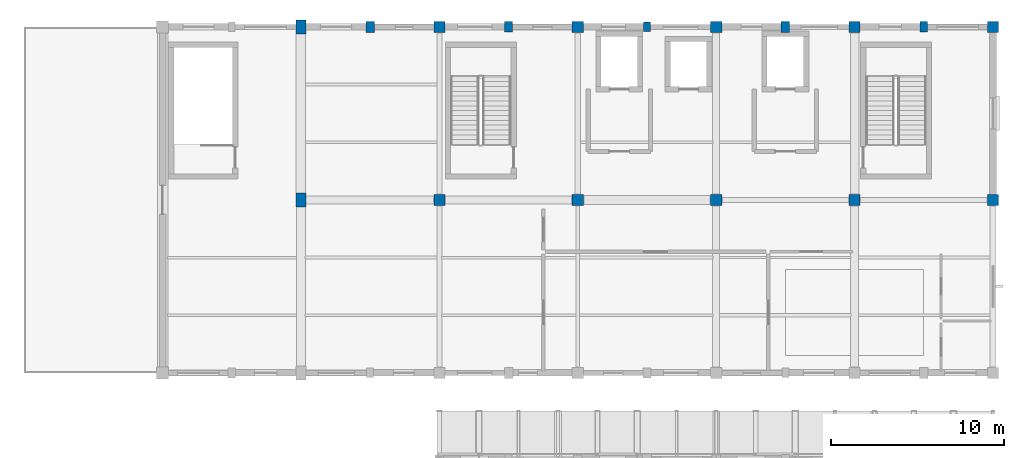
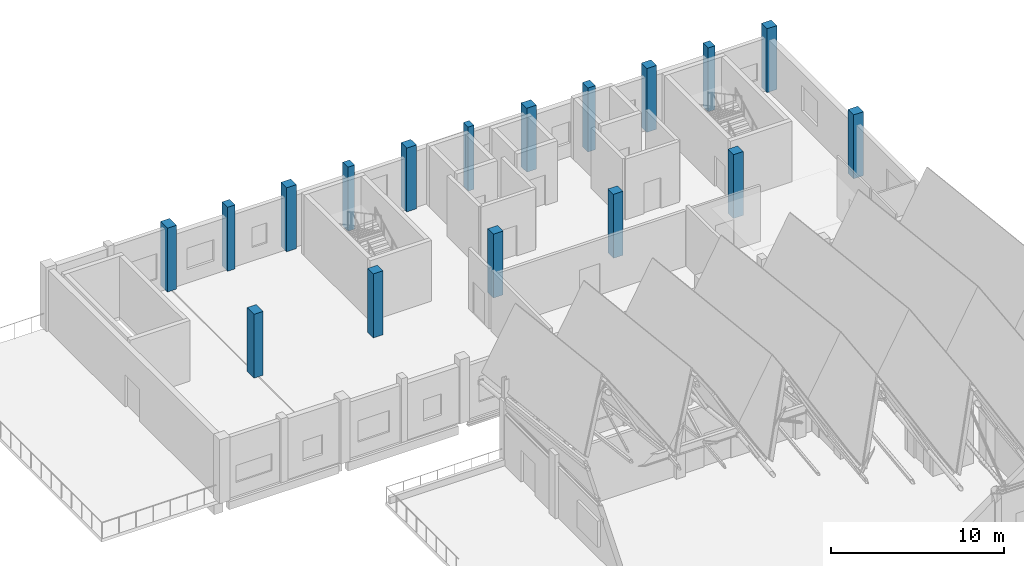
# One storey, part 6 of 48: 17 columns.
"""IFC4 building model written with IfcOpenShell, lengths in metres."""

from ifc_helpers import new_model, si_unit, direction, frame, origin, origin_2d, place, context, subcontext, project, spatial, rectangle, extrude, material, material_profile, profile_set, type_object, element, save


model = new_model("IFC4")

# Units and contexts
model_context = context("Model", 3, precision=1e-05, world=origin(), true_north=direction((0.0, 1.0)))
body_context = subcontext(model_context, "Body", "Model", "MODEL_VIEW")
ifc_project = project(units=[si_unit("LENGTHUNIT", "METRE"), si_unit("AREAUNIT", "SQUARE_METRE"), si_unit("VOLUMEUNIT", "CUBIC_METRE"), si_unit("PLANEANGLEUNIT", "RADIAN"), si_unit("MASSUNIT", "GRAM", prefix="KILO")], contexts=[model_context])

# Site, building, storey
site_placement = place(None, origin())
site = spatial("IfcSite", under=ifc_project, at=site_placement, CompositionType="ELEMENT")
building_placement = place(site_placement, origin())
building = spatial("IfcBuilding", under=site, at=building_placement, Name="Luwemba Playhouse", CompositionType="ELEMENT")
storey_placement = place(building_placement, frame((0.0, 0.0, 13.800048828125)))
storey = spatial("IfcBuildingStorey", under=building, at=storey_placement, Name="L03", CompositionType="ELEMENT", Elevation=13.800048828125)

# Columns
ifc_material = material(Name="Concrete C40/50", Category="concrete")
ifc_material_profile_1 = material_profile(ifc_material, rectangle(XDim=0.64990234375, YDim=0.64990234375, at=origin_2d()))
ifc_profile_set_1 = profile_set([ifc_material_profile_1], Name="Concrete C40/50")
column_type_1 = type_object("IfcColumnType", Name="COL-C05", PredefinedType="COLUMN", material=ifc_profile_set_1)
for number, where, z_axis, x_axis, name in (
    (1, (140.0, 105.0, 0.0), (0.0, 0.0, 1.0), (1.0, 0.0, 0.0), "L03 column 208"),
    (2, (140.0, 115.0, 0.0), (0.0, 0.0, 1.0), (1.0, 0.0, 0.0), "L03 column 209"),
    (3, (148.0, 105.0, 0.0), (0.0, 0.0, 1.0), (1.0, 0.0, 0.0), "L03 column 231"),
    (4, (148.0, 115.0, 0.0), (0.0, 0.0, 1.0), (1.0, 0.0, 0.0), "L03 column 232"),
    (5, (156.0, 105.0, 0.0), (0.0, 0.0, 1.0), (1.0, 0.0, 0.0), "L03 column 254"),
    (6, (156.0, 115.0, 0.0), (0.0, 0.0, 1.0), (1.0, 0.0, 0.0), "L03 column 255"),
    (7, (164.0, 105.0, 0.0), (0.0, 0.0, 1.0), (1.0, 0.0, 0.0), "L03 column 277"),
    (8, (164.0, 115.0, 0.0), (0.0, 0.0, 1.0), (1.0, 0.0, 0.0), "L03 column 278"),
    (9, (172.0, 105.0, 0.0), (0.0, 0.0, 1.0), (1.0, 0.0, 0.0), "L03 column 300"),
    (10, (172.0, 115.0, 0.0), (0.0, 0.0, 1.0), (1.0, 0.0, 0.0), "L03 column 301"),
):
    element("IfcColumn", number, at=place(storey_placement, frame(where, z_axis=z_axis, x_axis=x_axis)), inside=storey, type_object=column_type_1, Name=name, PredefinedType="COLUMN", context=body_context, shape_type="SweptSolid", body=[
        extrude(rectangle(XDim=0.64990234375, YDim=0.64990234375, at=origin_2d()), origin(), (0.0, 0.0, 1.0), 4.5),
    ])
ifc_material_profile_2 = material_profile(ifc_material, rectangle(XDim=0.60009765625, YDim=0.800048828125, at=origin_2d()))
ifc_profile_set_2 = profile_set([ifc_material_profile_2], Name="Concrete C40/50")
column_type_2 = type_object("IfcColumnType", Name="COL-C12", PredefinedType="COLUMN", material=ifc_profile_set_2)
for number, where, z_axis, x_axis, name in (
    (11, (132.0, 105.0, 0.0), (0.0, 0.0, 1.0), (1.0, 0.0, 0.0), "L03 column 185"),
    (12, (132.0, 115.0, 0.0), (0.0, 0.0, 1.0), (1.0, 0.0, 0.0), "L03 column 186"),
):
    element("IfcColumn", number, at=place(storey_placement, frame(where, z_axis=z_axis, x_axis=x_axis)), inside=storey, type_object=column_type_2, Name=name, PredefinedType="COLUMN", context=body_context, shape_type="SweptSolid", body=[
        extrude(rectangle(XDim=0.60009765625, YDim=0.800048828125, at=origin_2d()), origin(), (0.0, 0.0, 1.0), 4.5),
    ])
ifc_material_profile_3 = material_profile(ifc_material, rectangle(XDim=0.39990234375, YDim=0.550048828125, at=origin_2d()))
ifc_profile_set_3 = profile_set([ifc_material_profile_3], Name="Concrete C40/50")
column_type_3 = type_object("IfcColumnType", Name="COL-PIL1", PredefinedType="PILASTER", material=ifc_profile_set_3)
column_placement = place(storey_placement, frame((152.0, 115.0, 0.0), z_axis=(0.0, 0.0, 1.0), x_axis=(1.0, 0.0, 0.0)))
element("IfcColumn", 13, at=column_placement, inside=storey, type_object=column_type_3, Name="L03 column 240", PredefinedType="PILASTER", context=body_context, shape_type="SweptSolid", body=[
    extrude(rectangle(XDim=0.39990234375, YDim=0.550048828125, at=origin_2d()), origin(), (0.0, 0.0, 1.0), 4.5),
])
ifc_material_profile_4 = material_profile(ifc_material, rectangle(XDim=0.449951171875, YDim=0.60009765625, at=origin_2d()))
ifc_profile_set_4 = profile_set([ifc_material_profile_4], Name="Concrete C40/50")
column_type_4 = type_object("IfcColumnType", Name="COL-PIL2", PredefinedType="PILASTER", material=ifc_profile_set_4)
for number, where, z_axis, x_axis, name in (
    (14, (144.0, 115.0, 0.0), (0.0, 0.0, 1.0), (1.0, 0.0, 0.0), "L03 column 217"),
    (15, (168.0, 115.0, 0.0), (0.0, 0.0, 1.0), (1.0, 0.0, 0.0), "L03 column 286"),
):
    element("IfcColumn", number, at=place(storey_placement, frame(where, z_axis=z_axis, x_axis=x_axis)), inside=storey, type_object=column_type_4, Name=name, PredefinedType="PILASTER", context=body_context, shape_type="SweptSolid", body=[
        extrude(rectangle(XDim=0.449951171875, YDim=0.60009765625, at=origin_2d()), origin(), (0.0, 0.0, 1.0), 4.5),
    ])
ifc_material_profile_5 = material_profile(ifc_material, rectangle(XDim=0.5, YDim=0.64990234375, at=origin_2d()))
ifc_profile_set_5 = profile_set([ifc_material_profile_5], Name="Concrete C40/50")
column_type_5 = type_object("IfcColumnType", Name="COL-PIL3", PredefinedType="PILASTER", material=ifc_profile_set_5)
for number, where, z_axis, x_axis, name in (
    (16, (136.0, 115.0, 0.0), (0.0, 0.0, 1.0), (1.0, 0.0, 0.0), "L03 column 194"),
    (17, (160.0, 115.0, 0.0), (0.0, 0.0, 1.0), (1.0, 0.0, 0.0), "L03 column 263"),
):
    element("IfcColumn", number, at=place(storey_placement, frame(where, z_axis=z_axis, x_axis=x_axis)), inside=storey, type_object=column_type_5, Name=name, PredefinedType="PILASTER", context=body_context, shape_type="SweptSolid", body=[
        extrude(rectangle(XDim=0.5, YDim=0.64990234375, at=origin_2d()), origin(), (0.0, 0.0, 1.0), 4.5),
    ])

save(model, "model.ifc")
